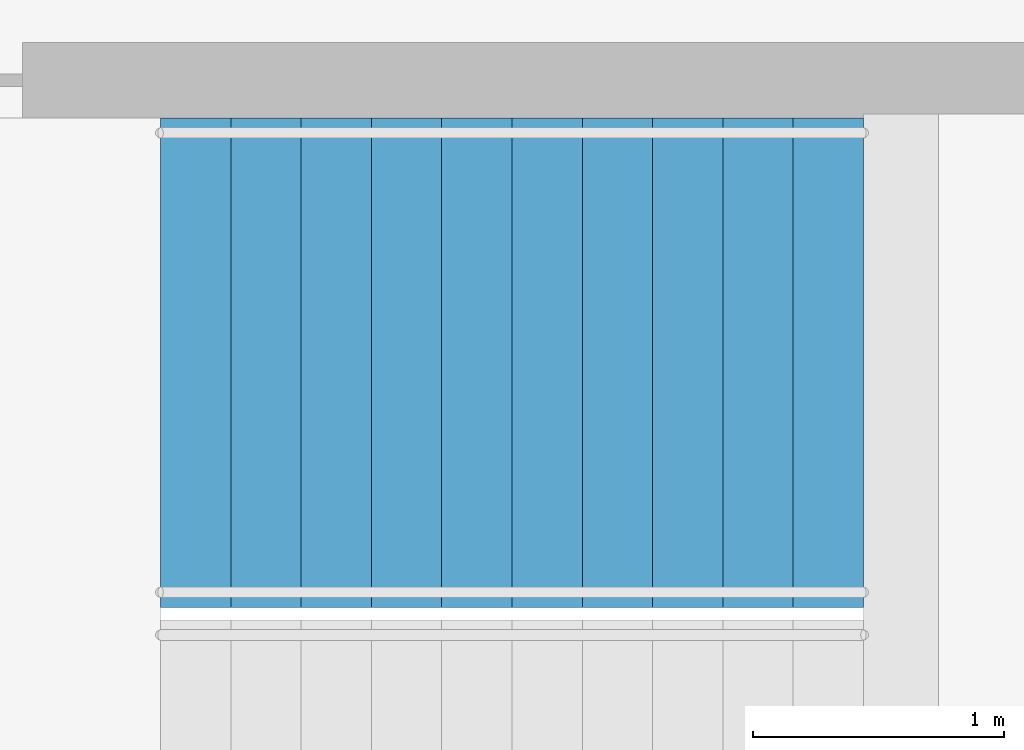
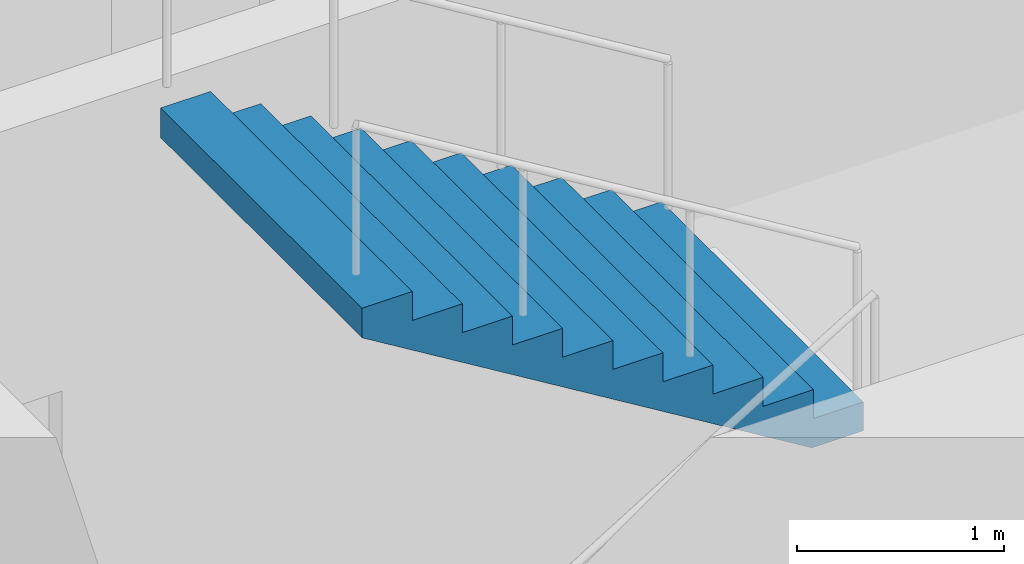
# One storey, part 20 of 23: 1 stair flight, 1 element without a shape of its own.
"""IFC4 building model written with IfcOpenShell, lengths in metres."""

from ifc_helpers import new_model, si_unit, direction, frame, origin, place, context, subcontext, project, spatial, triangles, material, type_object, element, aggregate, save


model = new_model("IFC4")

# Units and contexts
model_context = context("Model", 3, precision=1e-05, world=origin(), true_north=direction((0.0, 1.0)))
body_context = subcontext(model_context, "Body", "Model", "MODEL_VIEW")
ifc_project = project(units=[si_unit("LENGTHUNIT", "METRE"), si_unit("AREAUNIT", "SQUARE_METRE"), si_unit("VOLUMEUNIT", "CUBIC_METRE"), si_unit("PLANEANGLEUNIT", "RADIAN"), si_unit("MASSUNIT", "GRAM", prefix="KILO")], contexts=[model_context])

# Site, building, storey
site_placement = place(None, origin())
site = spatial("IfcSite", under=ifc_project, at=site_placement, CompositionType="ELEMENT")
building_placement = place(site_placement, origin())
building = spatial("IfcBuilding", under=site, at=building_placement, Name="Orbita Commons", CompositionType="ELEMENT")
storey_placement = place(building_placement, frame((0.0, 0.0, 42.699951171875)))
storey = spatial("IfcBuildingStorey", under=building, at=storey_placement, Name="L10", CompositionType="ELEMENT", Elevation=42.699951171875)

# Stair, stair flight
ifc_material_1 = material(Name="Precast concrete C40/50", Category="concrete")
stair_type = type_object("IfcStairType", Name="Exit stair S1 2 flights 11 risers 170", PredefinedType="HALF_TURN_STAIR", material=ifc_material_1)
stair_placement = place(storey_placement, origin())
stair = element("IfcStair", 1, at=stair_placement, inside=storey, type_object=stair_type, Name="Exit stair S1 L10", PredefinedType="HALF_TURN_STAIR")
ifc_material_2 = material(Name="Precast concrete C40/50", Category="concrete")
stair_flight_type = type_object("IfcStairFlightType", Name="Stair flight 11 risers 170 x 280", PredefinedType="STRAIGHT", material=ifc_material_2)
stair_flight_placement = place(storey_placement, frame((23.25, 29.27490234375, 1.875), z_axis=(0.0, 0.0, 1.0), x_axis=(-1.0, 0.0, 0.0)))
stair_flight = element("IfcStairFlight", 2, at=stair_flight_placement, type_object=stair_flight_type, Name="S1 flight 2", NumberOfRisers=11, NumberOfTreads=10, PredefinedType="STRAIGHT", RiserHeight=0.170454545, TreadLength=0.28, context=body_context, shape_type="Tessellation", body=[
    triangles([(0.0, 0.974976, 0.0), (0.0, 0.974976, 0.021307), (0.0, 0.81248, 0.021307), (0.0, 0.81248, 0.0), (0.0, 0.649984, 0.021307), (0.0, 0.649984, 0.0), (0.0, 0.487488, 0.021307), (0.0, 0.487488, 0.0), (0.0, 0.324992, 0.021307), (0.0, 0.324992, 0.0), (0.0, 0.162496, 0.021307), (0.0, 0.162496, 0.0), (0.0, 0.0, 0.021307), (0.0, 0.0, 0.0), (0.0, -0.162496, 0.021307), (0.0, -0.162496, 0.0), (0.0, -0.324992, 0.021307), (0.0, -0.324992, 0.0), (0.0, -0.487488, 0.021307), (0.0, -0.487488, 0.0), (0.0, -0.649984, 0.021307), (0.0, -0.649984, 0.0), (0.0, -0.81248, 0.021307), (0.0, -0.81248, 0.0), (0.0, -0.974976, 0.021307), (0.0, -0.974976, 0.0), (0.0, 0.974976, 0.042614), (0.0, 0.81248, 0.042614), (0.0, 0.649984, 0.042614), (0.0, 0.487488, 0.042614), (0.0, 0.324992, 0.042614), (0.0, 0.162496, 0.042614), (0.0, 0.0, 0.042614), (0.0, -0.162496, 0.042614), (0.0, -0.324992, 0.042614), (0.0, -0.487488, 0.042614), (0.0, -0.649984, 0.042614), (0.0, -0.81248, 0.042614), (0.0, -0.974976, 0.042614), (0.0, 0.974976, 0.06392), (0.0, 0.81248, 0.06392), (0.0, 0.649984, 0.06392), (0.0, 0.487488, 0.06392), (0.0, 0.324992, 0.06392), (0.0, 0.162496, 0.06392), (0.0, 0.0, 0.06392), (0.0, -0.162496, 0.06392), (0.0, -0.324992, 0.06392), (0.0, -0.487488, 0.06392), (0.0, -0.649984, 0.06392), (0.0, -0.81248, 0.06392), (0.0, -0.974976, 0.06392), (0.0, 0.974976, 0.085227), (0.0, 0.81248, 0.085227), (0.0, 0.649984, 0.085227), (0.0, 0.487488, 0.085227), (0.0, 0.324992, 0.085227), (0.0, 0.162496, 0.085227), (0.0, 0.0, 0.085227), (0.0, -0.162496, 0.085227), (0.0, -0.324992, 0.085227), (0.0, -0.487488, 0.085227), (0.0, -0.649984, 0.085227), (0.0, -0.81248, 0.085227), (0.0, -0.974976, 0.085227), (0.0, 0.974976, 0.106534), (0.0, 0.81248, 0.106534), (0.0, 0.649984, 0.106534), (0.0, 0.487488, 0.106534), (0.0, 0.324992, 0.106534), (0.0, 0.162496, 0.106534), (0.0, 0.0, 0.106534), (0.0, -0.162496, 0.106534), (0.0, -0.324992, 0.106534), (0.0, -0.487488, 0.106534), (0.0, -0.649984, 0.106534), (0.0, -0.81248, 0.106534), (0.0, -0.974976, 0.106534), (0.0, 0.974976, 0.127841), (0.0, 0.81248, 0.127841), (0.0, 0.649984, 0.127841), (0.0, 0.487488, 0.127841), (0.0, 0.324992, 0.127841), (0.0, 0.162496, 0.127841), (0.0, 0.0, 0.127841), (0.0, -0.162496, 0.127841), (0.0, -0.324992, 0.127841), (0.0, -0.487488, 0.127841), (0.0, -0.649984, 0.127841), (0.0, -0.81248, 0.127841), (0.0, -0.974976, 0.127841), (0.0, 0.974976, 0.149148), (0.0, 0.81248, 0.149148), (0.0, 0.649984, 0.149148), (0.0, 0.487488, 0.149148), (0.0, 0.324992, 0.149148), (0.0, 0.162496, 0.149148), (0.0, 0.0, 0.149148), (0.0, -0.162496, 0.149148), (0.0, -0.324992, 0.149148), (0.0, -0.487488, 0.149148), (0.0, -0.649984, 0.149148), (0.0, -0.81248, 0.149148), (0.0, -0.974976, 0.149148), (0.0, 0.974976, 0.170455), (0.0, 0.81248, 0.170455), (0.0, 0.649984, 0.170455), (0.0, 0.487488, 0.170455), (0.0, 0.324992, 0.170455), (0.0, 0.162496, 0.170455), (0.0, 0.0, 0.170455), (0.0, -0.162496, 0.170455), (0.0, -0.324992, 0.170455), (0.0, -0.487488, 0.170455), (0.0, -0.649984, 0.170455), (0.0, -0.81248, 0.170455), (0.0, -0.974976, 0.170455), (0.28, 0.974976, 0.170455), (0.28, 0.81248, 0.170455), (0.28, 0.649984, 0.170455), (0.28, 0.487488, 0.170455), (0.28, 0.324992, 0.170455), (0.28, 0.162496, 0.170455), (0.28, 0.0, 0.170455), (0.28, -0.162496, 0.170455), (0.28, -0.324992, 0.170455), (0.28, -0.487488, 0.170455), (0.28, -0.649984, 0.170455), (0.28, -0.81248, 0.170455), (0.28, -0.974976, 0.170455), (0.28, 0.974976, 0.340909), (0.28, 0.81248, 0.340909), (0.28, 0.649984, 0.340909), (0.28, 0.487488, 0.340909), (0.28, 0.324992, 0.340909), (0.28, 0.162496, 0.340909), (0.28, 0.0, 0.340909), (0.28, -0.162496, 0.340909), (0.28, -0.324992, 0.340909), (0.28, -0.487488, 0.340909), (0.28, -0.649984, 0.340909), (0.28, -0.81248, 0.340909), (0.28, -0.974976, 0.340909), (0.56, 0.974976, 0.340909), (0.56, 0.81248, 0.340909), (0.56, 0.649984, 0.340909), (0.56, 0.487488, 0.340909), (0.56, 0.324992, 0.340909), (0.56, 0.162496, 0.340909), (0.56, 0.0, 0.340909), (0.56, -0.162496, 0.340909), (0.56, -0.324992, 0.340909), (0.56, -0.487488, 0.340909), (0.56, -0.649984, 0.340909), (0.56, -0.81248, 0.340909), (0.56, -0.974976, 0.340909), (0.56, 0.974976, 0.511364), (0.56, 0.81248, 0.511364), (0.56, 0.649984, 0.511364), (0.56, 0.487488, 0.511364), (0.56, 0.324992, 0.511364), (0.56, 0.162496, 0.511364), (0.56, 0.0, 0.511364), (0.56, -0.162496, 0.511364), (0.56, -0.324992, 0.511364), (0.56, -0.487488, 0.511364), (0.56, -0.649984, 0.511364), (0.56, -0.81248, 0.511364), (0.56, -0.974976, 0.511364), (0.84, 0.974976, 0.511364), (0.84, 0.81248, 0.511364), (0.84, 0.649984, 0.511364), (0.84, 0.487488, 0.511364), (0.84, 0.324992, 0.511364), (0.84, 0.162496, 0.511364), (0.84, 0.0, 0.511364), (0.84, -0.162496, 0.511364), (0.84, -0.324992, 0.511364), (0.84, -0.487488, 0.511364), (0.84, -0.649984, 0.511364), (0.84, -0.81248, 0.511364), (0.84, -0.974976, 0.511364), (0.84, 0.974976, 0.681818), (0.84, 0.81248, 0.681818), (0.84, 0.649984, 0.681818), (0.84, 0.487488, 0.681818), (0.84, 0.324992, 0.681818), (0.84, 0.162496, 0.681818), (0.84, 0.0, 0.681818), (0.84, -0.162496, 0.681818), (0.84, -0.324992, 0.681818), (0.84, -0.487488, 0.681818), (0.84, -0.649984, 0.681818), (0.84, -0.81248, 0.681818), (0.84, -0.974976, 0.681818), (1.12, 0.974976, 0.681818), (1.12, 0.81248, 0.681818), (1.12, 0.649984, 0.681818), (1.12, 0.487488, 0.681818), (1.12, 0.324992, 0.681818), (1.12, 0.162496, 0.681818), (1.12, 0.0, 0.681818), (1.12, -0.162496, 0.681818), (1.12, -0.324992, 0.681818), (1.12, -0.487488, 0.681818), (1.12, -0.649984, 0.681818), (1.12, -0.81248, 0.681818), (1.12, -0.974976, 0.681818), (1.12, 0.974976, 0.852273), (1.12, 0.81248, 0.852273), (1.12, 0.649984, 0.852273), (1.12, 0.487488, 0.852273), (1.12, 0.324992, 0.852273), (1.12, 0.162496, 0.852273), (1.12, 0.0, 0.852273), (1.12, -0.162496, 0.852273), (1.12, -0.324992, 0.852273), (1.12, -0.487488, 0.852273), (1.12, -0.649984, 0.852273), (1.12, -0.81248, 0.852273), (1.12, -0.974976, 0.852273), (1.4, 0.974976, 0.852273), (1.4, 0.81248, 0.852273), (1.4, 0.649984, 0.852273), (1.4, 0.487488, 0.852273), (1.4, 0.324992, 0.852273), (1.4, 0.162496, 0.852273), (1.4, 0.0, 0.852273), (1.4, -0.162496, 0.852273), (1.4, -0.324992, 0.852273), (1.4, -0.487488, 0.852273), (1.4, -0.649984, 0.852273), (1.4, -0.81248, 0.852273), (1.4, -0.974976, 0.852273), (1.4, 0.974976, 1.022727), (1.4, 0.81248, 1.022727), (1.4, 0.649984, 1.022727), (1.4, 0.487488, 1.022727), (1.4, 0.324992, 1.022727), (1.4, 0.162496, 1.022727), (1.4, 0.0, 1.022727), (1.4, -0.162496, 1.022727), (1.4, -0.324992, 1.022727), (1.4, -0.487488, 1.022727), (1.4, -0.649984, 1.022727), (1.4, -0.81248, 1.022727), (1.4, -0.974976, 1.022727), (1.68, 0.974976, 1.022727), (1.68, 0.81248, 1.022727), (1.68, 0.649984, 1.022727), (1.68, 0.487488, 1.022727), (1.68, 0.324992, 1.022727), (1.68, 0.162496, 1.022727), (1.68, 0.0, 1.022727), (1.68, -0.162496, 1.022727), (1.68, -0.324992, 1.022727), (1.68, -0.487488, 1.022727), (1.68, -0.649984, 1.022727), (1.68, -0.81248, 1.022727), (1.68, -0.974976, 1.022727), (1.68, 0.974976, 1.193182), (1.68, 0.81248, 1.193182), (1.68, 0.649984, 1.193182), (1.68, 0.487488, 1.193182), (1.68, 0.324992, 1.193182), (1.68, 0.162496, 1.193182), (1.68, 0.0, 1.193182), (1.68, -0.162496, 1.193182), (1.68, -0.324992, 1.193182), (1.68, -0.487488, 1.193182), (1.68, -0.649984, 1.193182), (1.68, -0.81248, 1.193182), (1.68, -0.974976, 1.193182), (1.96, 0.974976, 1.193182), (1.96, 0.81248, 1.193182), (1.96, 0.649984, 1.193182), (1.96, 0.487488, 1.193182), (1.96, 0.324992, 1.193182), (1.96, 0.162496, 1.193182), (1.96, 0.0, 1.193182), (1.96, -0.162496, 1.193182), (1.96, -0.324992, 1.193182), (1.96, -0.487488, 1.193182), (1.96, -0.649984, 1.193182), (1.96, -0.81248, 1.193182), (1.96, -0.974976, 1.193182), (1.96, 0.974976, 1.363636), (1.96, 0.81248, 1.363636), (1.96, 0.649984, 1.363636), (1.96, 0.487488, 1.363636), (1.96, 0.324992, 1.363636), (1.96, 0.162496, 1.363636), (1.96, 0.0, 1.363636), (1.96, -0.162496, 1.363636), (1.96, -0.324992, 1.363636), (1.96, -0.487488, 1.363636), (1.96, -0.649984, 1.363636), (1.96, -0.81248, 1.363636), (1.96, -0.974976, 1.363636), (2.24, 0.974976, 1.363636), (2.24, 0.81248, 1.363636), (2.24, 0.649984, 1.363636), (2.24, 0.487488, 1.363636), (2.24, 0.324992, 1.363636), (2.24, 0.162496, 1.363636), (2.24, 0.0, 1.363636), (2.24, -0.162496, 1.363636), (2.24, -0.324992, 1.363636), (2.24, -0.487488, 1.363636), (2.24, -0.649984, 1.363636), (2.24, -0.81248, 1.363636), (2.24, -0.974976, 1.363636), (2.24, 0.974976, 1.534091), (2.24, 0.81248, 1.534091), (2.24, 0.649984, 1.534091), (2.24, 0.487488, 1.534091), (2.24, 0.324992, 1.534091), (2.24, 0.162496, 1.534091), (2.24, 0.0, 1.534091), (2.24, -0.162496, 1.534091), (2.24, -0.324992, 1.534091), (2.24, -0.487488, 1.534091), (2.24, -0.649984, 1.534091), (2.24, -0.81248, 1.534091), (2.24, -0.974976, 1.534091), (2.52, 0.974976, 1.534091), (2.52, 0.81248, 1.534091), (2.52, 0.649984, 1.534091), (2.52, 0.487488, 1.534091), (2.52, 0.324992, 1.534091), (2.52, 0.162496, 1.534091), (2.52, 0.0, 1.534091), (2.52, -0.162496, 1.534091), (2.52, -0.324992, 1.534091), (2.52, -0.487488, 1.534091), (2.52, -0.649984, 1.534091), (2.52, -0.81248, 1.534091), (2.52, -0.974976, 1.534091), (2.52, 0.974976, 1.704545), (2.52, 0.81248, 1.704545), (2.52, 0.649984, 1.704545), (2.52, 0.487488, 1.704545), (2.52, 0.324992, 1.704545), (2.52, 0.162496, 1.704545), (2.52, 0.0, 1.704545), (2.52, -0.162496, 1.704545), (2.52, -0.324992, 1.704545), (2.52, -0.487488, 1.704545), (2.52, -0.649984, 1.704545), (2.52, -0.81248, 1.704545), (2.52, -0.974976, 1.704545), (2.8, 0.974976, 1.704545), (2.8, 0.81248, 1.704545), (2.8, 0.649984, 1.704545), (2.8, 0.487488, 1.704545), (2.8, 0.324992, 1.704545), (2.8, 0.162496, 1.704545), (2.8, 0.0, 1.704545), (2.8, -0.162496, 1.704545), (2.8, -0.324992, 1.704545), (2.8, -0.487488, 1.704545), (2.8, -0.649984, 1.704545), (2.8, -0.81248, 1.704545), (2.8, -0.974976, 1.704545), (2.8, 0.974976, 1.682609), (2.8, 0.81248, 1.682609), (2.8, 0.649984, 1.682609), (2.8, 0.487488, 1.682609), (2.8, 0.324992, 1.682609), (2.8, 0.162496, 1.682609), (2.8, 0.0, 1.682609), (2.8, -0.162496, 1.682609), (2.8, -0.324992, 1.682609), (2.8, -0.487488, 1.682609), (2.8, -0.649984, 1.682609), (2.8, -0.81248, 1.682609), (2.8, -0.974976, 1.682609), (2.8, 0.974976, 1.660672), (2.8, 0.81248, 1.660672), (2.8, 0.649984, 1.660672), (2.8, 0.487488, 1.660672), (2.8, 0.324992, 1.660672), (2.8, 0.162496, 1.660672), (2.8, 0.0, 1.660672), (2.8, -0.162496, 1.660672), (2.8, -0.324992, 1.660672), (2.8, -0.487488, 1.660672), (2.8, -0.649984, 1.660672), (2.8, -0.81248, 1.660672), (2.8, -0.974976, 1.660672), (2.8, 0.974976, 1.638735), (2.8, 0.81248, 1.638735), (2.8, 0.649984, 1.638735), (2.8, 0.487488, 1.638735), (2.8, 0.324992, 1.638735), (2.8, 0.162496, 1.638735), (2.8, 0.0, 1.638735), (2.8, -0.162496, 1.638735), (2.8, -0.324992, 1.638735), (2.8, -0.487488, 1.638735), (2.8, -0.649984, 1.638735), (2.8, -0.81248, 1.638735), (2.8, -0.974976, 1.638735), (2.8, 0.974976, 1.616798), (2.8, 0.81248, 1.616798), (2.8, 0.649984, 1.616798), (2.8, 0.487488, 1.616798), (2.8, 0.324992, 1.616798), (2.8, 0.162496, 1.616798), (2.8, 0.0, 1.616798), (2.8, -0.162496, 1.616798), (2.8, -0.324992, 1.616798), (2.8, -0.487488, 1.616798), (2.8, -0.649984, 1.616798), (2.8, -0.81248, 1.616798), (2.8, -0.974976, 1.616798), (2.8, 0.974976, 1.594861), (2.8, 0.81248, 1.594861), (2.8, 0.649984, 1.594861), (2.8, 0.487488, 1.594861), (2.8, 0.324992, 1.594861), (2.8, 0.162496, 1.594861), (2.8, 0.0, 1.594861), (2.8, -0.162496, 1.594861), (2.8, -0.324992, 1.594861), (2.8, -0.487488, 1.594861), (2.8, -0.649984, 1.594861), (2.8, -0.81248, 1.594861), (2.8, -0.974976, 1.594861), (2.8, 0.974976, 1.572925), (2.8, 0.81248, 1.572925), (2.8, 0.649984, 1.572925), (2.8, 0.487488, 1.572925), (2.8, 0.324992, 1.572925), (2.8, 0.162496, 1.572925), (2.8, 0.0, 1.572925), (2.8, -0.162496, 1.572925), (2.8, -0.324992, 1.572925), (2.8, -0.487488, 1.572925), (2.8, -0.649984, 1.572925), (2.8, -0.81248, 1.572925), (2.8, -0.974976, 1.572925), (2.8, 0.974976, 1.550988), (2.8, 0.81248, 1.550988), (2.8, 0.649984, 1.550988), (2.8, 0.487488, 1.550988), (2.8, 0.324992, 1.550988), (2.8, 0.162496, 1.550988), (2.8, 0.0, 1.550988), (2.8, -0.162496, 1.550988), (2.8, -0.324992, 1.550988), (2.8, -0.487488, 1.550988), (2.8, -0.649984, 1.550988), (2.8, -0.81248, 1.550988), (2.8, -0.974976, 1.550988), (2.8, 0.974976, 1.529051), (2.8, 0.81248, 1.529051), (2.8, 0.649984, 1.529051), (2.8, 0.487488, 1.529051), (2.8, 0.324992, 1.529051), (2.8, 0.162496, 1.529051), (2.8, 0.0, 1.529051), (2.8, -0.162496, 1.529051), (2.8, -0.324992, 1.529051), (2.8, -0.487488, 1.529051), (2.8, -0.649984, 1.529051), (2.8, -0.81248, 1.529051), (2.8, -0.974976, 1.529051), (0.288279, 0.974976, 0.0), (0.288279, 0.81248, 0.0), (0.288279, 0.649984, 0.0), (0.288279, 0.487488, 0.0), (0.288279, 0.324992, 0.0), (0.288279, 0.162496, 0.0), (0.288279, 0.0, 0.0), (0.288279, -0.162496, 0.0), (0.288279, -0.324992, 0.0), (0.288279, -0.487488, 0.0), (0.288279, -0.649984, 0.0), (0.288279, -0.81248, 0.0), (0.288279, -0.974976, 0.0)], [[3, 2, 1], [4, 3, 1], [5, 3, 4], [6, 5, 4], [7, 5, 6], [8, 7, 6], [9, 7, 8], [10, 9, 8], [11, 9, 10], [12, 11, 10], [13, 11, 12], [14, 13, 12], [15, 13, 14], [16, 15, 14], [17, 15, 16], [18, 17, 16], [19, 17, 18], [20, 19, 18], [21, 19, 20], [22, 21, 20], [23, 21, 22], [24, 23, 22], [25, 23, 24], [26, 25, 24], [28, 27, 2], [3, 28, 2], [29, 28, 3], [5, 29, 3], [30, 29, 5], [7, 30, 5], [31, 30, 7], [9, 31, 7], [32, 31, 9], [11, 32, 9], [33, 32, 11], [13, 33, 11], [34, 33, 13], [15, 34, 13], [35, 34, 15], [17, 35, 15], [36, 35, 17], [19, 36, 17], [37, 36, 19], [21, 37, 19], [38, 37, 21], [23, 38, 21], [39, 38, 23], [25, 39, 23], [41, 40, 27], [28, 41, 27], [42, 41, 28], [29, 42, 28], [43, 42, 29], [30, 43, 29], [44, 43, 30], [31, 44, 30], [45, 44, 31], [32, 45, 31], [46, 45, 32], [33, 46, 32], [47, 46, 33], [34, 47, 33], [48, 47, 34], [35, 48, 34], [49, 48, 35], [36, 49, 35], [50, 49, 36], [37, 50, 36], [51, 50, 37], [38, 51, 37], [52, 51, 38], [39, 52, 38], [54, 53, 40], [41, 54, 40], [55, 54, 41], [42, 55, 41], [56, 55, 42], [43, 56, 42], [57, 56, 43], [44, 57, 43], [58, 57, 44], [45, 58, 44], [59, 58, 45], [46, 59, 45], [60, 59, 46], [47, 60, 46], [61, 60, 47], [48, 61, 47], [62, 61, 48], [49, 62, 48], [63, 62, 49], [50, 63, 49], [64, 63, 50], [51, 64, 50], [65, 64, 51], [52, 65, 51], [67, 66, 53], [54, 67, 53], [68, 67, 54], [55, 68, 54], [69, 68, 55], [56, 69, 55], [70, 69, 56], [57, 70, 56], [71, 70, 57], [58, 71, 57], [72, 71, 58], [59, 72, 58], [73, 72, 59], [60, 73, 59], [74, 73, 60], [61, 74, 60], [75, 74, 61], [62, 75, 61], [76, 75, 62], [63, 76, 62], [77, 76, 63], [64, 77, 63], [78, 77, 64], [65, 78, 64], [80, 79, 66], [67, 80, 66], [81, 80, 67], [68, 81, 67], [82, 81, 68], [69, 82, 68], [83, 82, 69], [70, 83, 69], [84, 83, 70], [71, 84, 70], [85, 84, 71], [72, 85, 71], [86, 85, 72], [73, 86, 72], [87, 86, 73], [74, 87, 73], [88, 87, 74], [75, 88, 74], [89, 88, 75], [76, 89, 75], [90, 89, 76], [77, 90, 76], [91, 90, 77], [78, 91, 77], [93, 92, 79], [80, 93, 79], [94, 93, 80], [81, 94, 80], [95, 94, 81], [82, 95, 81], [96, 95, 82], [83, 96, 82], [97, 96, 83], [84, 97, 83], [98, 97, 84], [85, 98, 84], [99, 98, 85], [86, 99, 85], [100, 99, 86], [87, 100, 86], [101, 100, 87], [88, 101, 87], [102, 101, 88], [89, 102, 88], [103, 102, 89], [90, 103, 89], [104, 103, 90], [91, 104, 90], [106, 105, 92], [93, 106, 92], [107, 106, 93], [94, 107, 93], [108, 107, 94], [95, 108, 94], [109, 108, 95], [96, 109, 95], [110, 109, 96], [97, 110, 96], [111, 110, 97], [98, 111, 97], [112, 111, 98], [99, 112, 98], [113, 112, 99], [100, 113, 99], [114, 113, 100], [101, 114, 100], [115, 114, 101], [102, 115, 101], [116, 115, 102], [103, 116, 102], [117, 116, 103], [104, 117, 103], [119, 118, 105], [106, 119, 105], [120, 119, 106], [107, 120, 106], [121, 120, 107], [108, 121, 107], [122, 121, 108], [109, 122, 108], [123, 122, 109], [110, 123, 109], [124, 123, 110], [111, 124, 110], [125, 124, 111], [112, 125, 111], [126, 125, 112], [113, 126, 112], [127, 126, 113], [114, 127, 113], [128, 127, 114], [115, 128, 114], [129, 128, 115], [116, 129, 115], [130, 129, 116], [117, 130, 116], [132, 131, 118], [119, 132, 118], [133, 132, 119], [120, 133, 119], [134, 133, 120], [121, 134, 120], [135, 134, 121], [122, 135, 121], [136, 135, 122], [123, 136, 122], [137, 136, 123], [124, 137, 123], [138, 137, 124], [125, 138, 124], [139, 138, 125], [126, 139, 125], [140, 139, 126], [127, 140, 126], [141, 140, 127], [128, 141, 127], [142, 141, 128], [129, 142, 128], [143, 142, 129], [130, 143, 129], [145, 144, 131], [132, 145, 131], [146, 145, 132], [133, 146, 132], [147, 146, 133], [134, 147, 133], [148, 147, 134], [135, 148, 134], [149, 148, 135], [136, 149, 135], [150, 149, 136], [137, 150, 136], [151, 150, 137], [138, 151, 137], [152, 151, 138], [139, 152, 138], [153, 152, 139], [140, 153, 139], [154, 153, 140], [141, 154, 140], [155, 154, 141], [142, 155, 141], [156, 155, 142], [143, 156, 142], [158, 157, 144], [145, 158, 144], [159, 158, 145], [146, 159, 145], [160, 159, 146], [147, 160, 146], [161, 160, 147], [148, 161, 147], [162, 161, 148], [149, 162, 148], [163, 162, 149], [150, 163, 149], [164, 163, 150], [151, 164, 150], [165, 164, 151], [152, 165, 151], [166, 165, 152], [153, 166, 152], [167, 166, 153], [154, 167, 153], [168, 167, 154], [155, 168, 154], [169, 168, 155], [156, 169, 155], [171, 170, 157], [158, 171, 157], [172, 171, 158], [159, 172, 158], [173, 172, 159], [160, 173, 159], [174, 173, 160], [161, 174, 160], [175, 174, 161], [162, 175, 161], [176, 175, 162], [163, 176, 162], [177, 176, 163], [164, 177, 163], [178, 177, 164], [165, 178, 164], [179, 178, 165], [166, 179, 165], [180, 179, 166], [167, 180, 166], [181, 180, 167], [168, 181, 167], [182, 181, 168], [169, 182, 168], [184, 183, 170], [171, 184, 170], [185, 184, 171], [172, 185, 171], [186, 185, 172], [173, 186, 172], [187, 186, 173], [174, 187, 173], [188, 187, 174], [175, 188, 174], [189, 188, 175], [176, 189, 175], [190, 189, 176], [177, 190, 176], [191, 190, 177], [178, 191, 177], [192, 191, 178], [179, 192, 178], [193, 192, 179], [180, 193, 179], [194, 193, 180], [181, 194, 180], [195, 194, 181], [182, 195, 181], [197, 196, 183], [184, 197, 183], [198, 197, 184], [185, 198, 184], [199, 198, 185], [186, 199, 185], [200, 199, 186], [187, 200, 186], [201, 200, 187], [188, 201, 187], [202, 201, 188], [189, 202, 188], [203, 202, 189], [190, 203, 189], [204, 203, 190], [191, 204, 190], [205, 204, 191], [192, 205, 191], [206, 205, 192], [193, 206, 192], [207, 206, 193], [194, 207, 193], [208, 207, 194], [195, 208, 194], [210, 209, 196], [197, 210, 196], [211, 210, 197], [198, 211, 197], [212, 211, 198], [199, 212, 198], [213, 212, 199], [200, 213, 199], [214, 213, 200], [201, 214, 200], [215, 214, 201], [202, 215, 201], [216, 215, 202], [203, 216, 202], [217, 216, 203], [204, 217, 203], [218, 217, 204], [205, 218, 204], [219, 218, 205], [206, 219, 205], [220, 219, 206], [207, 220, 206], [221, 220, 207], [208, 221, 207], [223, 222, 209], [210, 223, 209], [224, 223, 210], [211, 224, 210], [225, 224, 211], [212, 225, 211], [226, 225, 212], [213, 226, 212], [227, 226, 213], [214, 227, 213], [228, 227, 214], [215, 228, 214], [229, 228, 215], [216, 229, 215], [230, 229, 216], [217, 230, 216], [231, 230, 217], [218, 231, 217], [232, 231, 218], [219, 232, 218], [233, 232, 219], [220, 233, 219], [234, 233, 220], [221, 234, 220], [236, 235, 222], [223, 236, 222], [237, 236, 223], [224, 237, 223], [238, 237, 224], [225, 238, 224], [239, 238, 225], [226, 239, 225], [240, 239, 226], [227, 240, 226], [241, 240, 227], [228, 241, 227], [242, 241, 228], [229, 242, 228], [243, 242, 229], [230, 243, 229], [244, 243, 230], [231, 244, 230], [245, 244, 231], [232, 245, 231], [246, 245, 232], [233, 246, 232], [247, 246, 233], [234, 247, 233], [249, 248, 235], [236, 249, 235], [250, 249, 236], [237, 250, 236], [251, 250, 237], [238, 251, 237], [252, 251, 238], [239, 252, 238], [253, 252, 239], [240, 253, 239], [254, 253, 240], [241, 254, 240], [255, 254, 241], [242, 255, 241], [256, 255, 242], [243, 256, 242], [257, 256, 243], [244, 257, 243], [258, 257, 244], [245, 258, 244], [259, 258, 245], [246, 259, 245], [260, 259, 246], [247, 260, 246], [262, 261, 248], [249, 262, 248], [263, 262, 249], [250, 263, 249], [264, 263, 250], [251, 264, 250], [265, 264, 251], [252, 265, 251], [266, 265, 252], [253, 266, 252], [267, 266, 253], [254, 267, 253], [268, 267, 254], [255, 268, 254], [269, 268, 255], [256, 269, 255], [270, 269, 256], [257, 270, 256], [271, 270, 257], [258, 271, 257], [272, 271, 258], [259, 272, 258], [273, 272, 259], [260, 273, 259], [275, 274, 261], [262, 275, 261], [276, 275, 262], [263, 276, 262], [277, 276, 263], [264, 277, 263], [278, 277, 264], [265, 278, 264], [279, 278, 265], [266, 279, 265], [280, 279, 266], [267, 280, 266], [281, 280, 267], [268, 281, 267], [282, 281, 268], [269, 282, 268], [283, 282, 269], [270, 283, 269], [284, 283, 270], [271, 284, 270], [285, 284, 271], [272, 285, 271], [286, 285, 272], [273, 286, 272], [288, 287, 274], [275, 288, 274], [289, 288, 275], [276, 289, 275], [290, 289, 276], [277, 290, 276], [291, 290, 277], [278, 291, 277], [292, 291, 278], [279, 292, 278], [293, 292, 279], [280, 293, 279], [294, 293, 280], [281, 294, 280], [295, 294, 281], [282, 295, 281], [296, 295, 282], [283, 296, 282], [297, 296, 283], [284, 297, 283], [298, 297, 284], [285, 298, 284], [299, 298, 285], [286, 299, 285], [301, 300, 287], [288, 301, 287], [302, 301, 288], [289, 302, 288], [303, 302, 289], [290, 303, 289], [304, 303, 290], [291, 304, 290], [305, 304, 291], [292, 305, 291], [306, 305, 292], [293, 306, 292], [307, 306, 293], [294, 307, 293], [308, 307, 294], [295, 308, 294], [309, 308, 295], [296, 309, 295], [310, 309, 296], [297, 310, 296], [311, 310, 297], [298, 311, 297], [312, 311, 298], [299, 312, 298], [314, 313, 300], [301, 314, 300], [315, 314, 301], [302, 315, 301], [316, 315, 302], [303, 316, 302], [317, 316, 303], [304, 317, 303], [318, 317, 304], [305, 318, 304], [319, 318, 305], [306, 319, 305], [320, 319, 306], [307, 320, 306], [321, 320, 307], [308, 321, 307], [322, 321, 308], [309, 322, 308], [323, 322, 309], [310, 323, 309], [324, 323, 310], [311, 324, 310], [325, 324, 311], [312, 325, 311], [327, 326, 313], [314, 327, 313], [328, 327, 314], [315, 328, 314], [329, 328, 315], [316, 329, 315], [330, 329, 316], [317, 330, 316], [331, 330, 317], [318, 331, 317], [332, 331, 318], [319, 332, 318], [333, 332, 319], [320, 333, 319], [334, 333, 320], [321, 334, 320], [335, 334, 321], [322, 335, 321], [336, 335, 322], [323, 336, 322], [337, 336, 323], [324, 337, 323], [338, 337, 324], [325, 338, 324], [340, 339, 326], [327, 340, 326], [341, 340, 327], [328, 341, 327], [342, 341, 328], [329, 342, 328], [343, 342, 329], [330, 343, 329], [344, 343, 330], [331, 344, 330], [345, 344, 331], [332, 345, 331], [346, 345, 332], [333, 346, 332], [347, 346, 333], [334, 347, 333], [348, 347, 334], [335, 348, 334], [349, 348, 335], [336, 349, 335], [350, 349, 336], [337, 350, 336], [351, 350, 337], [338, 351, 337], [353, 352, 339], [340, 353, 339], [354, 353, 340], [341, 354, 340], [355, 354, 341], [342, 355, 341], [356, 355, 342], [343, 356, 342], [357, 356, 343], [344, 357, 343], [358, 357, 344], [345, 358, 344], [359, 358, 345], [346, 359, 345], [360, 359, 346], [347, 360, 346], [361, 360, 347], [348, 361, 347], [362, 361, 348], [349, 362, 348], [363, 362, 349], [350, 363, 349], [364, 363, 350], [351, 364, 350], [366, 365, 352], [353, 366, 352], [367, 366, 353], [354, 367, 353], [368, 367, 354], [355, 368, 354], [369, 368, 355], [356, 369, 355], [370, 369, 356], [357, 370, 356], [371, 370, 357], [358, 371, 357], [372, 371, 358], [359, 372, 358], [373, 372, 359], [360, 373, 359], [374, 373, 360], [361, 374, 360], [375, 374, 361], [362, 375, 361], [376, 375, 362], [363, 376, 362], [377, 376, 363], [364, 377, 363], [379, 378, 365], [366, 379, 365], [380, 379, 366], [367, 380, 366], [381, 380, 367], [368, 381, 367], [382, 381, 368], [369, 382, 368], [383, 382, 369], [370, 383, 369], [384, 383, 370], [371, 384, 370], [385, 384, 371], [372, 385, 371], [386, 385, 372], [373, 386, 372], [387, 386, 373], [374, 387, 373], [388, 387, 374], [375, 388, 374], [389, 388, 375], [376, 389, 375], [390, 389, 376], [377, 390, 376], [392, 391, 378], [379, 392, 378], [393, 392, 379], [380, 393, 379], [394, 393, 380], [381, 394, 380], [395, 394, 381], [382, 395, 381], [396, 395, 382], [383, 396, 382], [397, 396, 383], [384, 397, 383], [398, 397, 384], [385, 398, 384], [399, 398, 385], [386, 399, 385], [400, 399, 386], [387, 400, 386], [401, 400, 387], [388, 401, 387], [402, 401, 388], [389, 402, 388], [403, 402, 389], [390, 403, 389], [405, 404, 391], [392, 405, 391], [406, 405, 392], [393, 406, 392], [407, 406, 393], [394, 407, 393], [408, 407, 394], [395, 408, 394], [409, 408, 395], [396, 409, 395], [410, 409, 396], [397, 410, 396], [411, 410, 397], [398, 411, 397], [412, 411, 398], [399, 412, 398], [413, 412, 399], [400, 413, 399], [414, 413, 400], [401, 414, 400], [415, 414, 401], [402, 415, 401], [416, 415, 402], [403, 416, 402], [418, 417, 404], [405, 418, 404], [419, 418, 405], [406, 419, 405], [420, 419, 406], [407, 420, 406], [421, 420, 407], [408, 421, 407], [422, 421, 408], [409, 422, 408], [423, 422, 409], [410, 423, 409], [424, 423, 410], [411, 424, 410], [425, 424, 411], [412, 425, 411], [426, 425, 412], [413, 426, 412], [427, 426, 413], [414, 427, 413], [428, 427, 414], [415, 428, 414], [429, 428, 415], [416, 429, 415], [431, 430, 417], [418, 431, 417], [432, 431, 418], [419, 432, 418], [433, 432, 419], [420, 433, 419], [434, 433, 420], [421, 434, 420], [435, 434, 421], [422, 435, 421], [436, 435, 422], [423, 436, 422], [437, 436, 423], [424, 437, 423], [438, 437, 424], [425, 438, 424], [439, 438, 425], [426, 439, 425], [440, 439, 426], [427, 440, 426], [441, 440, 427], [428, 441, 427], [442, 441, 428], [429, 442, 428], [444, 443, 430], [431, 444, 430], [445, 444, 431], [432, 445, 431], [446, 445, 432], [433, 446, 432], [447, 446, 433], [434, 447, 433], [448, 447, 434], [435, 448, 434], [449, 448, 435], [436, 449, 435], [450, 449, 436], [437, 450, 436], [451, 450, 437], [438, 451, 437], [452, 451, 438], [439, 452, 438], [453, 452, 439], [440, 453, 439], [454, 453, 440], [441, 454, 440], [455, 454, 441], [442, 455, 441], [457, 456, 443], [444, 457, 443], [458, 457, 444], [445, 458, 444], [459, 458, 445], [446, 459, 445], [460, 459, 446], [447, 460, 446], [461, 460, 447], [448, 461, 447], [462, 461, 448], [449, 462, 448], [463, 462, 449], [450, 463, 449], [464, 463, 450], [451, 464, 450], [465, 464, 451], [452, 465, 451], [466, 465, 452], [453, 466, 452], [467, 466, 453], [454, 467, 453], [468, 467, 454], [455, 468, 454], [470, 469, 456], [457, 470, 456], [471, 470, 457], [458, 471, 457], [472, 471, 458], [459, 472, 458], [473, 472, 459], [460, 473, 459], [474, 473, 460], [461, 474, 460], [475, 474, 461], [462, 475, 461], [476, 475, 462], [463, 476, 462], [477, 476, 463], [464, 477, 463], [478, 477, 464], [465, 478, 464], [479, 478, 465], [466, 479, 465], [480, 479, 466], [467, 480, 466], [481, 480, 467], [468, 481, 467], [4, 1, 469], [470, 4, 469], [6, 4, 470], [471, 6, 470], [8, 6, 471], [472, 8, 471], [10, 8, 472], [473, 10, 472], [12, 10, 473], [474, 12, 473], [14, 12, 474], [475, 14, 474], [16, 14, 475], [476, 16, 475], [18, 16, 476], [477, 18, 476], [20, 18, 477], [478, 20, 477], [22, 20, 478], [479, 22, 478], [24, 22, 479], [480, 24, 479], [26, 24, 480], [481, 26, 480], [456, 469, 1], [26, 481, 468], [443, 456, 1], [26, 468, 455], [430, 443, 1], [26, 455, 442], [417, 430, 1], [26, 442, 429], [404, 417, 1], [26, 429, 416], [391, 404, 1], [26, 416, 403], [378, 391, 1], [26, 403, 390], [365, 378, 1], [26, 390, 377], [339, 352, 365], [377, 364, 351], [326, 339, 365], [377, 351, 338], [300, 313, 326], [338, 325, 312], [300, 326, 365], [377, 338, 312], [274, 287, 300], [312, 299, 286], [274, 300, 365], [377, 312, 286], [248, 261, 274], [286, 273, 260], [248, 274, 365], [377, 286, 260], [222, 235, 248], [260, 247, 234], [222, 248, 365], [377, 260, 234], [196, 209, 222], [234, 221, 208], [196, 222, 365], [377, 234, 208], [170, 183, 196], [208, 195, 182], [170, 196, 365], [377, 208, 182], [144, 157, 170], [182, 169, 156], [144, 170, 365], [377, 182, 156], [118, 131, 144], [156, 143, 130], [118, 144, 365], [377, 156, 130], [118, 365, 1], [26, 377, 130], [92, 105, 118], [130, 117, 104], [79, 92, 118], [130, 104, 91], [66, 79, 118], [130, 91, 78], [53, 66, 118], [130, 78, 65], [40, 53, 118], [130, 65, 52], [27, 40, 118], [130, 52, 39], [2, 27, 118], [130, 39, 25], [1, 2, 118], [130, 25, 26]], closed=True),
])
aggregate(stair, [stair_flight])

save(model, "model.ifc")
